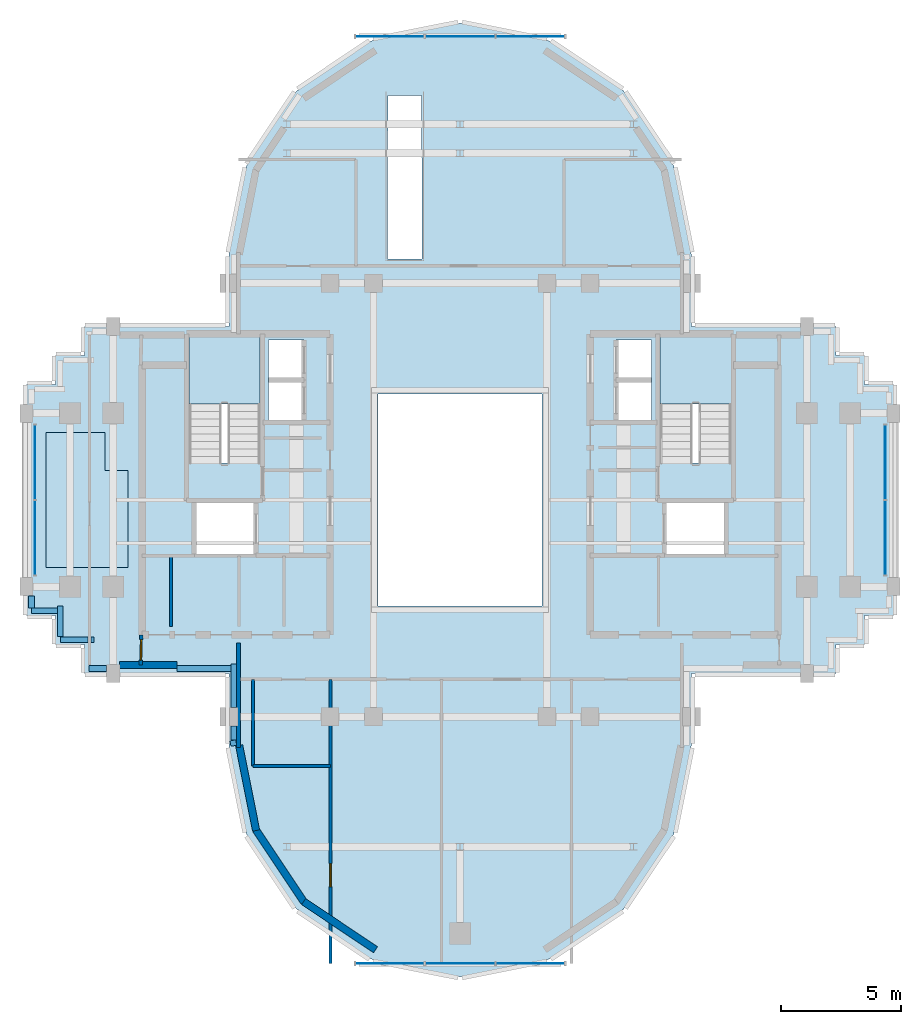
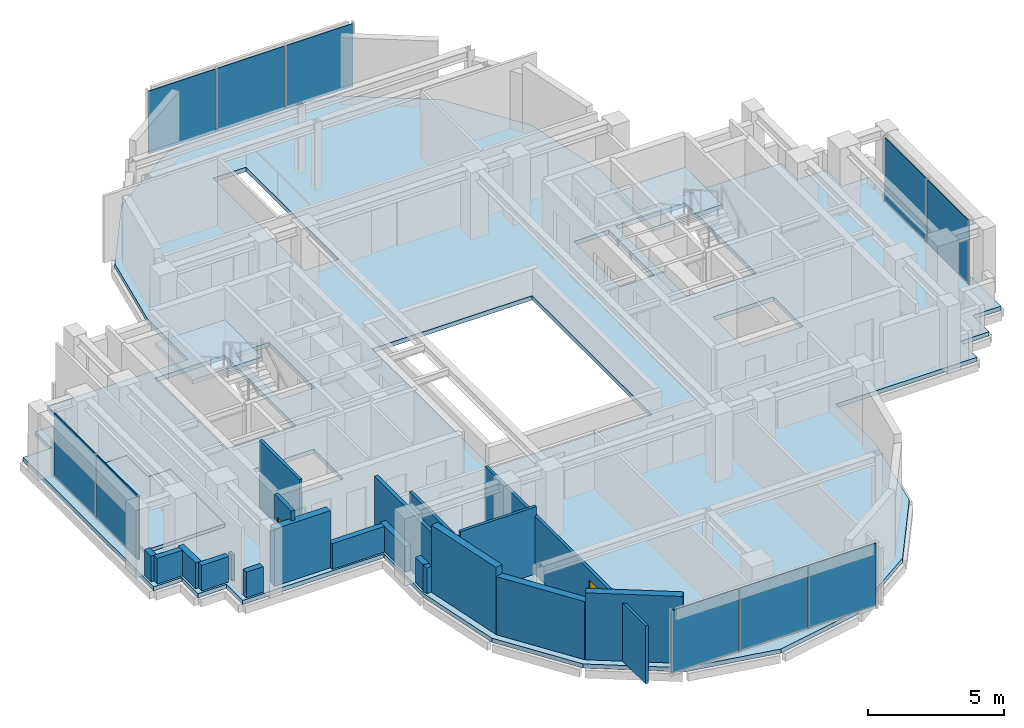
# One storey, part 7 of 12: 20 walls, 10 plates, 4 slabs, 2 doors, 2 openings, 6 elements without a shape of their own.
"""IFC4 building model written with IfcOpenShell, lengths in metres."""

from ifc_helpers import new_model, si_unit, direction, frame, frame_2d, origin, origin_2d, place, context, subcontext, project, spatial, polyline, rectangle, outline, extrude, source, transform, mapped, material, layer, layer_set, type_object, element, fill, aggregate, save


model = new_model("IFC4")

# Units and contexts
model_context = context("Model", 3, precision=1e-05, world=origin(), true_north=direction((0.0, 1.0)))
body_context = subcontext(model_context, "Body", "Model", "MODEL_VIEW")
ifc_project = project(units=[si_unit("LENGTHUNIT", "METRE"), si_unit("AREAUNIT", "SQUARE_METRE"), si_unit("VOLUMEUNIT", "CUBIC_METRE"), si_unit("PLANEANGLEUNIT", "RADIAN"), si_unit("MASSUNIT", "GRAM", prefix="KILO")], contexts=[model_context])

# Site, building, storey
site_placement = place(None, origin())
site = spatial("IfcSite", under=ifc_project, at=site_placement, CompositionType="ELEMENT")
building_placement = place(site_placement, origin())
building = spatial("IfcBuilding", under=site, at=building_placement, Name="Keilestroom Media Tower", CompositionType="ELEMENT")
storey_placement = place(building_placement, frame((0.0, 0.0, 223.60009765625)))
storey = spatial("IfcBuildingStorey", under=building, at=storey_placement, Name="L61", CompositionType="ELEMENT", Elevation=223.60009765625)

# Slabs
ifc_material_1 = material(Name="Concrete C50/60", Category="concrete")
ifc_layer_1 = layer(ifc_material_1, 0.18994140625)
ifc_layer_set_1 = layer_set([ifc_layer_1], Name="Concrete C50/60")
slab_type_1 = type_object("IfcSlabType", Name="Composite-Floor-Slab-190", PredefinedType="FLOOR", material=ifc_layer_set_1)
slab_1_placement = place(storey_placement, frame((0.0, 0.0, -0.190185546875)))
element("IfcSlab", 1, at=slab_1_placement, inside=storey, type_object=slab_type_1, Name="L61 Structural Composite Floor Slab", PredefinedType="FLOOR", context=body_context, shape_type="SweptSolid", body=[
    extrude(outline(polyline([(18.0, -4.800048828125), (18.0, 4.800048828125), (16.800048828125, 4.800048828125), (16.800048828125, 6.0), (15.60009765625, 6.0), (15.60009765625, 7.199951171875), (9.60009765625, 7.199951171875), (9.60009765625, 9.60009765625), (9.60009765625, 10.199951171875), (8.869140625, 13.873779296875), (6.7880859375, 16.98828125), (3.673828125, 19.069091796875), (0.0, 19.800048828125), (-3.673828125, 19.069091796875), (-6.7880859375, 16.98828125), (-8.869140625, 13.873779296875), (-9.60009765625, 10.199951171875), (-9.60009765625, 9.60009765625), (-9.60009765625, 7.199951171875), (-15.60009765625, 7.199951171875), (-15.60009765625, 6.0), (-16.800048828125, 6.0), (-16.800048828125, 4.800048828125), (-18.0, 4.800048828125), (-18.0, -4.800048828125), (-16.800048828125, -4.800048828125), (-16.800048828125, -6.0), (-15.60009765625, -6.0), (-15.60009765625, -7.199951171875), (-9.60009765625, -7.199951171875), (-9.60009765625, -9.60009765625), (-9.60009765625, -10.199951171875), (-8.869140625, -13.873779296875), (-6.7880859375, -16.98828125), (-3.673828125, -19.069091796875), (0.0, -19.800048828125), (3.673828125, -19.069091796875), (6.7880859375, -16.98828125), (8.869140625, -13.873779296875), (9.60009765625, -10.199951171875), (9.60009765625, -9.60009765625), (9.60009765625, -7.199951171875), (15.60009765625, -7.199951171875), (15.60009765625, -6.0), (16.800048828125, -6.0), (16.800048828125, -4.800048828125), (18.0, -4.800048828125)]), holes=[polyline([(-8.300048828125, 6.760009765625), (-8.300048828125, 1.544921875), (-11.260009765625, 1.544921875), (-11.260009765625, 6.760009765625), (-8.300048828125, 6.760009765625)]), polyline([(-8.47998046875, -0.10009765625), (-8.47998046875, -2.280029296875), (-11.050048828125, -2.280029296875), (-11.050048828125, -0.10009765625), (-8.47998046875, -0.10009765625)]), polyline([(-6.47998046875, 6.64990234375), (-6.47998046875, 3.300048828125), (-7.949951171875, 3.300048828125), (-7.949951171875, 6.64990234375), (-6.47998046875, 6.64990234375)]), polyline([(3.39990234375, 4.39990234375), (3.39990234375, -4.39990234375), (-3.39990234375, -4.39990234375), (-3.39990234375, 4.39990234375), (3.39990234375, 4.39990234375)]), polyline([(-1.580078125, 10.0), (-3.02001953125, 10.0), (-3.0, 16.804931640625), (-1.60009765625, 16.804931640625), (-1.580078125, 10.0)]), polyline([(7.949951171875, 6.64990234375), (7.949951171875, 3.300048828125), (6.47998046875, 3.300048828125), (6.47998046875, 6.64990234375), (7.949951171875, 6.64990234375)]), polyline([(11.260009765625, 6.760009765625), (11.260009765625, 1.544921875), (8.300048828125, 1.544921875), (8.300048828125, 6.760009765625), (11.260009765625, 6.760009765625)]), polyline([(11.050048828125, -0.10009765625), (11.050048828125, -2.280029296875), (8.47998046875, -2.280029296875), (8.47998046875, -0.10009765625), (11.050048828125, -0.10009765625)])]), origin(), (0.0, 0.0, 1.0), 0.190185546875),
])
ifc_material_2 = material(Name="Concrete C45/55", Category="concrete")
ifc_layer_2 = layer(ifc_material_2, 0.14990234375)
ifc_layer_set_2 = layer_set([ifc_layer_2], Name="Concrete C45/55")
slab_type_2 = type_object("IfcSlabType", Name="Floating-Studio-Floor-Slab-150", PredefinedType="FLOOR", material=ifc_layer_set_2)
slab_2_placement = place(storey_placement, origin())
element("IfcSlab", 2, at=slab_2_placement, inside=storey, type_object=slab_type_2, Name="L61 Acoustic Floating Studio Slab ST-ED2-Z4", PredefinedType="FLOOR", context=body_context, shape_type="SweptSolid", body=[
    extrude(outline(polyline([(-17.199951171875, -2.800048828125), (-13.800048828125, -2.800048828125), (-13.800048828125, 1.23193359375), (-14.751953125, 1.23193359375), (-14.751953125, 2.800048828125), (-17.199951171875, 2.800048828125), (-17.199951171875, -2.800048828125)])), origin(), (0.0, 0.0, 1.0), 0.14990234375),
])

# Stair, slab
stair_type = type_object("IfcStairType", Name="Enclosed-Dog-Leg-Stair-ST-CORE", PredefinedType="HALF_TURN_STAIR", material=ifc_material_2)
stair_1_placement = place(storey_placement, origin())
stair_1 = element("IfcStair", 3, at=stair_1_placement, inside=storey, type_object=stair_type, Name="L61 West Core Escape Stair ST-1", PredefinedType="HALF_TURN_STAIR")
ifc_layer_3 = layer(ifc_material_2, 0.199951171875)
ifc_layer_set_3 = layer_set([ifc_layer_3], Name="Concrete C45/55")
slab_type_3 = type_object("IfcSlabType", Name="Stair-Intermediate-And-Top-Landing-Slab-200", PredefinedType="LANDING", material=ifc_layer_set_3)
slab_3_placement = place(storey_placement, frame((0.0, 0.0, 1.39990234375)))
slab_3 = element("IfcSlab", 4, at=slab_3_placement, type_object=slab_type_3, Name="ST-1 landing 1", PredefinedType="LANDING", context=body_context, shape_type="SweptSolid", body=[
    extrude(outline(polyline([(-8.300048828125, 3.99609375), (-8.300048828125, 6.760009765625), (-11.260009765625, 6.760009765625), (-11.260009765625, 3.99609375), (-8.300048828125, 3.99609375)])), origin(), (0.0, 0.0, 1.0), 0.199951171875),
])
aggregate(stair_1, [slab_3])

stair_2_placement = place(storey_placement, origin())
stair_2 = element("IfcStair", 5, at=stair_2_placement, inside=storey, type_object=stair_type, Name="L61 East Core Escape Stair ST-2", PredefinedType="HALF_TURN_STAIR")
slab_4_placement = place(storey_placement, frame((0.0, 0.0, 1.39990234375)))
slab_4 = element("IfcSlab", 6, at=slab_4_placement, type_object=slab_type_3, Name="ST-2 landing 1", PredefinedType="LANDING", context=body_context, shape_type="SweptSolid", body=[
    extrude(outline(polyline([(11.260009765625, 3.99609375), (11.260009765625, 6.760009765625), (8.300048828125, 6.760009765625), (8.300048828125, 3.99609375), (11.260009765625, 3.99609375)])), origin(), (0.0, 0.0, 1.0), 0.199951171875),
])
aggregate(stair_2, [slab_4])

# Curtain wall, plates
ifc_material_3 = material(Name="Anodised Aluminium Alloy", Category="aluminium")
curtain_wall_type_1 = type_object("IfcCurtainWallType", Name="Unitised-Curtain-Wall-CW-6", PredefinedType="NOTDEFINED", material=ifc_material_3)
curtain_wall_1_placement = place(storey_placement, origin())
curtain_wall_1 = element("IfcCurtainWall", 7, at=curtain_wall_1_placement, inside=storey, type_object=curtain_wall_type_1, Name="L61 Curtain Wall CW-6 CW-L61-LN-1", PredefinedType="NOTDEFINED")
ifc_material_4 = material(Name="Curved-Facet Triple Glazed Unit", Category="glass")
ifc_layer_4 = layer(ifc_material_4, 0.033935546875)
ifc_layer_set_4 = layer_set([ifc_layer_4], Name="Curved-Facet Triple Glazed Unit")
plate_type_1 = type_object("IfcPlateType", Name="Insulated-Curtain-Wall-Glazing-Panel-CW-6", PredefinedType="CURTAIN_PANEL", material=ifc_layer_set_4)
shared_shape_1 = source(origin(), body_context, "Body", "SweptSolid", [
    extrude(rectangle(XDim=2.84375, YDim=0.033935546875, at=origin_2d()), origin(), (0.0, 0.0, 1.0), 2.833984375),
])
plate_1_placement = place(storey_placement, frame((-2.9169921875, 19.25, 0.072998046875), z_axis=(0.0, 0.0, 1.0), x_axis=(1.0, 0.0, 0.0)))
plate_1 = element("IfcPlate", 8, at=plate_1_placement, type_object=plate_type_1, Name="CW-6 Unitised Glazing 00", PredefinedType="CURTAIN_PANEL", context=body_context, shape_type="MappedRepresentation", body=[
    mapped(shared_shape_1, transform((0.0, 0.0, 0.0), x_axis=(1.0, 0.0, 0.0), y_axis=(0.0, 1.0, 0.0), z_axis=(0.0, 0.0, 1.0), scale=1.0)),
])
plate_2_placement = place(storey_placement, frame((2.9169921875, 19.25, 0.072998046875), z_axis=(0.0, 0.0, 1.0), x_axis=(1.0, 0.0, 0.0)))
plate_2 = element("IfcPlate", 9, at=plate_2_placement, type_object=plate_type_1, Name="CW-6 Unitised Glazing 02", PredefinedType="CURTAIN_PANEL", context=body_context, shape_type="MappedRepresentation", body=[
    mapped(shared_shape_1, transform((0.0, 0.0, 0.0), x_axis=(1.0, 0.0, 0.0), y_axis=(0.0, 1.0, 0.0), z_axis=(0.0, 0.0, 1.0), scale=1.0)),
])

curtain_wall_2_placement = place(storey_placement, origin())
curtain_wall_2 = element("IfcCurtainWall", 10, at=curtain_wall_2_placement, inside=storey, type_object=curtain_wall_type_1, Name="L61 Curtain Wall CW-6 CW-L61-LS-1", PredefinedType="NOTDEFINED")
plate_3_placement = place(storey_placement, frame((-2.9169921875, -19.25, 0.072998046875), z_axis=(0.0, 0.0, 1.0), x_axis=(1.0, 0.0, 0.0)))
plate_3 = element("IfcPlate", 11, at=plate_3_placement, type_object=plate_type_1, Name="CW-6 Unitised Glazing 00", PredefinedType="CURTAIN_PANEL", context=body_context, shape_type="MappedRepresentation", body=[
    mapped(shared_shape_1, transform((0.0, 0.0, 0.0), x_axis=(1.0, 0.0, 0.0), y_axis=(0.0, 1.0, 0.0), z_axis=(0.0, 0.0, 1.0), scale=1.0)),
])
plate_4_placement = place(storey_placement, frame((2.9169921875, -19.25, 0.072998046875), z_axis=(0.0, 0.0, 1.0), x_axis=(1.0, 0.0, 0.0)))
plate_4 = element("IfcPlate", 12, at=plate_4_placement, type_object=plate_type_1, Name="CW-6 Unitised Glazing 02", PredefinedType="CURTAIN_PANEL", context=body_context, shape_type="MappedRepresentation", body=[
    mapped(shared_shape_1, transform((0.0, 0.0, 0.0), x_axis=(1.0, 0.0, 0.0), y_axis=(0.0, 1.0, 0.0), z_axis=(0.0, 0.0, 1.0), scale=1.0)),
])

# Plate
shared_shape_2 = source(origin(), body_context, "Body", "SweptSolid", [
    extrude(rectangle(XDim=2.876220703125, YDim=0.033935546875, at=origin_2d()), origin(), (0.0, 0.0, 1.0), 2.833984375),
])
plate_5_placement = place(storey_placement, frame((0.0, 19.25, 0.072998046875), z_axis=(0.0, 0.0, 1.0), x_axis=(1.0, 0.0, 0.0)))
plate_5 = element("IfcPlate", 13, at=plate_5_placement, type_object=plate_type_1, Name="CW-6 Unitised Glazing 01", PredefinedType="CURTAIN_PANEL", context=body_context, shape_type="MappedRepresentation", body=[
    mapped(shared_shape_2, transform((0.0, 0.0, 0.0), x_axis=(1.0, 0.0, 0.0), y_axis=(0.0, 1.0, 0.0), z_axis=(0.0, 0.0, 1.0), scale=1.0)),
])

aggregate(curtain_wall_1, [plate_1, plate_5, plate_2])

plate_6_placement = place(storey_placement, frame((0.0, -19.25, 0.072998046875), z_axis=(0.0, 0.0, 1.0), x_axis=(1.0, 0.0, 0.0)))
plate_6 = element("IfcPlate", 14, at=plate_6_placement, type_object=plate_type_1, Name="CW-6 Unitised Glazing 01", PredefinedType="CURTAIN_PANEL", context=body_context, shape_type="MappedRepresentation", body=[
    mapped(shared_shape_2, transform((0.0, 0.0, 0.0), x_axis=(1.0, 0.0, 0.0), y_axis=(0.0, 1.0, 0.0), z_axis=(0.0, 0.0, 1.0), scale=1.0)),
])

aggregate(curtain_wall_2, [plate_3, plate_6, plate_4])

# Curtain wall, plates
curtain_wall_type_2 = type_object("IfcCurtainWallType", Name="Unitised-Curtain-Wall-CW-4", PredefinedType="NOTDEFINED", material=ifc_material_3)
curtain_wall_3_placement = place(storey_placement, origin())
curtain_wall_3 = element("IfcCurtainWall", 15, at=curtain_wall_3_placement, inside=storey, type_object=curtain_wall_type_2, Name="L61 Curtain Wall CW-4 CW-L61-W-1", PredefinedType="NOTDEFINED")
ifc_material_5 = material(Name="Triple Glazed Solar-Control Unit", Category="glass")
ifc_layer_5 = layer(ifc_material_5, 0.035888671875)
ifc_layer_set_5 = layer_set([ifc_layer_5], Name="Triple Glazed Solar-Control Unit")
plate_type_2 = type_object("IfcPlateType", Name="Insulated-Curtain-Wall-Glazing-Panel-CW-4", PredefinedType="CURTAIN_PANEL", material=ifc_layer_set_5)
shared_shape_3 = source(origin(), body_context, "Body", "SweptSolid", [
    extrude(rectangle(XDim=3.0830078125, YDim=0.035888671875, at=origin_2d()), origin(), (0.0, 0.0, 1.0), 2.85400390625),
])
plate_7_placement = place(storey_placement, frame((-17.64990234375, -1.5673828125, 0.06298828125), z_axis=(0.0, 0.0, 1.0), x_axis=(0.0, 1.0, 0.0)))
plate_7 = element("IfcPlate", 16, at=plate_7_placement, type_object=plate_type_2, Name="CW-4 Unitised Glazing 00", PredefinedType="CURTAIN_PANEL", context=body_context, shape_type="MappedRepresentation", body=[
    mapped(shared_shape_3, transform((0.0, 0.0, 0.0), x_axis=(1.0, 0.0, 0.0), y_axis=(0.0, 1.0, 0.0), z_axis=(0.0, 0.0, 1.0), scale=1.0)),
])
plate_8_placement = place(storey_placement, frame((-17.64990234375, 1.5673828125, 0.06298828125), z_axis=(0.0, 0.0, 1.0), x_axis=(0.0, 1.0, 0.0)))
plate_8 = element("IfcPlate", 17, at=plate_8_placement, type_object=plate_type_2, Name="CW-4 Unitised Glazing 01", PredefinedType="CURTAIN_PANEL", context=body_context, shape_type="MappedRepresentation", body=[
    mapped(shared_shape_3, transform((0.0, 0.0, 0.0), x_axis=(1.0, 0.0, 0.0), y_axis=(0.0, 1.0, 0.0), z_axis=(0.0, 0.0, 1.0), scale=1.0)),
])
aggregate(curtain_wall_3, [plate_7, plate_8])

curtain_wall_4_placement = place(storey_placement, origin())
curtain_wall_4 = element("IfcCurtainWall", 18, at=curtain_wall_4_placement, inside=storey, type_object=curtain_wall_type_2, Name="L61 Curtain Wall CW-4 CW-L61-E-1", PredefinedType="NOTDEFINED")
plate_9_placement = place(storey_placement, frame((17.64990234375, -1.5673828125, 0.06298828125), z_axis=(0.0, 0.0, 1.0), x_axis=(0.0, 1.0, 0.0)))
plate_9 = element("IfcPlate", 19, at=plate_9_placement, type_object=plate_type_2, Name="CW-4 Unitised Glazing 00", PredefinedType="CURTAIN_PANEL", context=body_context, shape_type="MappedRepresentation", body=[
    mapped(shared_shape_3, transform((0.0, 0.0, 0.0), x_axis=(1.0, 0.0, 0.0), y_axis=(0.0, 1.0, 0.0), z_axis=(0.0, 0.0, 1.0), scale=1.0)),
])
plate_10_placement = place(storey_placement, frame((17.64990234375, 1.5673828125, 0.06298828125), z_axis=(0.0, 0.0, 1.0), x_axis=(0.0, 1.0, 0.0)))
plate_10 = element("IfcPlate", 20, at=plate_10_placement, type_object=plate_type_2, Name="CW-4 Unitised Glazing 01", PredefinedType="CURTAIN_PANEL", context=body_context, shape_type="MappedRepresentation", body=[
    mapped(shared_shape_3, transform((0.0, 0.0, 0.0), x_axis=(1.0, 0.0, 0.0), y_axis=(0.0, 1.0, 0.0), z_axis=(0.0, 0.0, 1.0), scale=1.0)),
])
aggregate(curtain_wall_4, [plate_9, plate_10])

# Walls
ifc_material_6 = material(Name="Precast concrete C40/50", Category="concrete")
ifc_layer_6 = layer(ifc_material_6, 0.300048828125)
ifc_layer_set_6 = layer_set([ifc_layer_6], Name="Precast concrete C40/50")
wall_type_1 = type_object("IfcWallType", Name="Exterior-Masonry-Spandrel-Wall-300", PredefinedType="SOLIDWALL", material=ifc_layer_set_6)
wall_1_placement = place(storey_placement, frame((-14.133056640625, -6.85009765625, 0.0), z_axis=(0.0, 0.0, 1.0), x_axis=(1.0, 0.0, 0.0)))
element("IfcWall", 21, at=wall_1_placement, inside=storey, type_object=wall_type_1, Name="L61 Flank Masonry Wall EWL-L61-SW-1", PredefinedType="SOLIDWALL", context=body_context, shape_type="SweptSolid", body=[
    extrude(rectangle(XDim=2.383056640625, YDim=0.300048828125, at=frame_2d((1.19140625, 0.0))), origin(), (0.0, 0.0, 1.0), 2.56982421875),
])
wall_2_placement = place(storey_placement, frame((-9.1748046875, -10.185302734375, 0.0), z_axis=(0.0, 0.0, 1.0), x_axis=(0.195114232679, -0.980780523974, 0.0)))
element("IfcWall", 22, at=wall_2_placement, inside=storey, type_object=wall_type_1, Name="L61 Lobe Facet Precast Frame Wall 07", PredefinedType="SOLIDWALL", context=body_context, shape_type="SweptSolid", body=[
    extrude(rectangle(XDim=3.608642578125, YDim=0.300048828125, at=frame_2d((1.80419921875, 0.0))), origin(), (0.0, 0.0, 1.0), 3.010009765625),
])
wall_3_placement = place(storey_placement, frame((-8.48193359375, -13.697509765625, 0.0), z_axis=(0.0, 0.0, 1.0), x_axis=(0.555574187116, -0.831466970246, 0.0)))
element("IfcWall", 23, at=wall_3_placement, inside=storey, type_object=wall_type_1, Name="L61 Lobe Facet Precast Frame Wall 08", PredefinedType="SOLIDWALL", context=body_context, shape_type="SweptSolid", body=[
    extrude(rectangle(XDim=3.608642578125, YDim=0.300048828125, at=frame_2d((1.80419921875, 0.0))), origin(), (0.0, 0.0, 1.0), 2.60986328125),
])
wall_4_placement = place(storey_placement, frame((-6.497802734375, -16.677001953125, 0.0), z_axis=(0.0, 0.0, 1.0), x_axis=(0.831443568068, -0.555609208993, 0.0)))
element("IfcWall", 24, at=wall_4_placement, inside=storey, type_object=wall_type_1, Name="L61 Lobe Facet Precast Frame Wall 09", PredefinedType="SOLIDWALL", context=body_context, shape_type="SweptSolid", body=[
    extrude(rectangle(XDim=3.593505859375, YDim=0.300048828125, at=frame_2d((1.796875, 0.0))), origin(), (0.0, 0.0, 1.0), 3.010009765625),
])
ifc_material_7 = material(Name="Gypsum Plasterboard & Steel Stud", Category="steel")
ifc_layer_7 = layer(ifc_material_7, 0.1201171875)
ifc_layer_set_7 = layer_set([ifc_layer_7], Name="Gypsum Plasterboard & Steel Stud")
wall_type_2 = type_object("IfcWallType", Name="Interior-Partition-Wall-120", PredefinedType="PARTITIONING", material=ifc_layer_set_7)
wall_5_placement = place(storey_placement, frame((-12.010009765625, -5.260009765625, 0.0), z_axis=(0.0, 0.0, 1.0), x_axis=(0.0, 1.0, 0.0)))
element("IfcWall", 25, at=wall_5_placement, inside=storey, type_object=wall_type_2, Name="L61 Interior Wall WP-L61-RECLW-M", PredefinedType="PARTITIONING", context=body_context, shape_type="SweptSolid", body=[
    extrude(rectangle(XDim=2.93994140625, YDim=0.1201171875, at=frame_2d((1.469970703125, 0.0))), origin(), (0.0, 0.0, 1.0), 3.010009765625),
])

# Wall, opening, door
wall_6_placement = place(storey_placement, frame((-5.3798828125, -19.25, 0.0), z_axis=(0.0, 0.0, 1.0), x_axis=(0.0, 1.0, 0.0)))
wall_6 = element("IfcWall", 26, at=wall_6_placement, inside=storey, type_object=wall_type_2, Name="L61 Interior Wall WP-L61-SL-QV1", PredefinedType="PARTITIONING", context=body_context, shape_type="SweptSolid", body=[
    extrude(rectangle(XDim=11.800048828125, YDim=0.1201171875, at=frame_2d((5.89990234375, 0.0))), origin(), (0.0, 0.0, 1.0), 2.60986328125),
])
opening_1_placement = place(wall_6_placement, frame((3.199951171875, 0.0, 0.0)))
opening_1 = element("IfcOpeningElement", 27, at=opening_1_placement, cuts=wall_6, Name="Opening DI-03", PredefinedType="OPENING", context=body_context, shape_type="SweptSolid", body=[
    extrude(rectangle(XDim=0.949951171875, YDim=2.14990234375, at=frame_2d((0.47509765625, 1.074951171875))), frame((0.0, 0.070068359375, 0.0), z_axis=(0.0, -1.0, 0.0), x_axis=(1.0, 0.0, 0.0)), (0.0, 0.0, 1.0), 0.14013671875),
])
ifc_material_8 = material(Name="Lacquered European Oak Leaf", Category="wood")
door_type_1 = type_object("IfcDoorType", Name="Interior-Room-And-Suite-Door-DI-03", OperationType="NOTDEFINED", PredefinedType="DOOR", material=ifc_material_8)
shared_shape_4 = source(origin(), body_context, "Body", "SweptSolid", [
    extrude(rectangle(XDim=0.949951171875, YDim=2.14990234375, at=frame_2d((0.47509765625, 1.074951171875))), frame((0.0, 0.02490234375, 0.0), z_axis=(0.0, -1.0, 0.0), x_axis=(1.0, 0.0, 0.0)), (0.0, 0.0, 1.0), 0.050048828125),
])
door_1_placement = place(opening_1_placement, origin())
door_1 = element("IfcDoor", 28, at=door_1_placement, inside=storey, type_object=door_type_1, Name="L61 Interior Door DI-L61-DSL-Q1", OperationType="SINGLE_SWING_RIGHT", OverallHeight=2.14990234375, OverallWidth=0.949951171875, PredefinedType="DOOR", context=body_context, shape_type="MappedRepresentation", body=[
    mapped(shared_shape_4, transform((0.0, 0.0, 0.0), x_axis=(1.0, 0.0, 0.0), y_axis=(0.0, 1.0, 0.0), z_axis=(0.0, 0.0, 1.0), scale=1.0)),
])
fill(opening_1, door_1)

# Walls
wall_7_placement = place(storey_placement, frame((-8.60009765625, -11.050048828125, 0.0), z_axis=(0.0, 0.0, 1.0), x_axis=(1.0, 0.0, 0.0)))
element("IfcWall", 29, at=wall_7_placement, inside=storey, type_object=wall_type_2, Name="L61 Interior Wall WP-L61-SL-WC3-S", PredefinedType="PARTITIONING", context=body_context, shape_type="SweptSolid", body=[
    extrude(rectangle(XDim=3.22021484375, YDim=0.1201171875, at=frame_2d((1.610107421875, 0.0))), origin(), (0.0, 0.0, 1.0), 3.010009765625),
])
wall_8_placement = place(storey_placement, frame((-8.60009765625, -11.050048828125, 0.0), z_axis=(0.0, 0.0, 1.0), x_axis=(0.0, 1.0, 0.0)))
element("IfcWall", 30, at=wall_8_placement, inside=storey, type_object=wall_type_2, Name="L61 Interior Wall WP-L61-SL-WC3-W", PredefinedType="PARTITIONING", context=body_context, shape_type="SweptSolid", body=[
    extrude(rectangle(XDim=3.60009765625, YDim=0.1201171875, at=frame_2d((1.800048828125, 0.0))), origin(), (0.0, 0.0, 1.0), 2.60986328125),
])
ifc_layer_8 = layer(ifc_material_7, 0.14990234375)
ifc_layer_set_8 = layer_set([ifc_layer_8], Name="Gypsum Plasterboard & Steel Stud")
wall_type_3 = type_object("IfcWallType", Name="Interior-Partition-Wall-150", PredefinedType="PARTITIONING", material=ifc_layer_set_8)
wall_9_placement = place(storey_placement, frame((-9.199951171875, -10.280029296875, 0.0), z_axis=(0.0, 0.0, 1.0), x_axis=(0.0, 1.0, 0.0)))
element("IfcWall", 31, at=wall_9_placement, inside=storey, type_object=wall_type_3, Name="L61 Interior Wall WP-L61-SL-CHKW", PredefinedType="PARTITIONING", context=body_context, shape_type="SweptSolid", body=[
    extrude(rectangle(XDim=4.340087890625, YDim=0.14990234375, at=frame_2d((2.169921875, 0.0))), origin(), (0.0, 0.0, 1.0), 2.60986328125),
])

# Wall, opening, door
wall_10_placement = place(storey_placement, frame((-13.260009765625, -6.85009765625, 0.0), z_axis=(0.0, 0.0, 1.0), x_axis=(0.016013571389, 0.999871774545, 0.0)))
wall_10 = element("IfcWall", 32, at=wall_10_placement, inside=storey, type_object=wall_type_3, Name="L61 Interior Wall WP-L61-WA-ENTS", PredefinedType="PARTITIONING", context=body_context, shape_type="SweptSolid", body=[
    extrude(rectangle(XDim=1.250244140625, YDim=0.14990234375, at=frame_2d((0.625, 0.0))), origin(), (0.0, 0.0, 1.0), 3.010009765625),
])
opening_2_placement = place(wall_10_placement, frame((0.199951171875, 0.0, 0.0)))
opening_2 = element("IfcOpeningElement", 33, at=opening_2_placement, cuts=wall_10, Name="Opening DI-05", PredefinedType="OPENING", context=body_context, shape_type="SweptSolid", body=[
    extrude(rectangle(XDim=0.85009765625, YDim=2.10009765625, at=frame_2d((0.425048828125, 1.050048828125))), frame((0.0, 0.0849609375, 0.0), z_axis=(0.0, -1.0, 0.0), x_axis=(1.0, 0.0, 0.0)), (0.0, 0.0, 1.0), 0.169921875),
])
ifc_material_9 = material(Name="Moisture-Resistant Oak Leaf", Category="wood")
door_type_2 = type_object("IfcDoorType", Name="Interior-En-Suite-And-Cupboard-Door-DI-05", OperationType="NOTDEFINED", PredefinedType="DOOR", material=ifc_material_9)
shared_shape_5 = source(origin(), body_context, "Body", "SweptSolid", [
    extrude(rectangle(XDim=0.85009765625, YDim=2.10009765625, at=frame_2d((0.425048828125, 1.050048828125))), frame((0.0, 0.02490234375, 0.0), z_axis=(0.0, -1.0, 0.0), x_axis=(1.0, 0.0, 0.0)), (0.0, 0.0, 1.0), 0.050048828125),
])
door_2_placement = place(opening_2_placement, origin())
door_2 = element("IfcDoor", 34, at=door_2_placement, inside=storey, type_object=door_type_2, Name="L61 Interior Door DI-L61-DWA-E", OperationType="SINGLE_SWING_RIGHT", OverallHeight=2.10009765625, OverallWidth=0.85009765625, PredefinedType="DOOR", context=body_context, shape_type="MappedRepresentation", body=[
    mapped(shared_shape_5, transform((0.0, 0.0, 0.0), x_axis=(1.0, 0.0, 0.0), y_axis=(0.0, 1.0, 0.0), z_axis=(0.0, 0.0, 1.0), scale=1.0)),
])
fill(opening_2, door_2)

# Walls
ifc_layer_9 = layer(ifc_material_6, 0.239990234375)
ifc_layer_set_9 = layer_set([ifc_layer_9], Name="Precast concrete C40/50")
wall_type_4 = type_object("IfcWallType", Name="Roof-And-Terrace-Parapet-Wall-240", PredefinedType="PARAPET", material=ifc_layer_set_9)
wall_11_placement = place(storey_placement, frame((-9.395263671875, -10.2041015625, 0.0), z_axis=(0.0, 0.0, 1.0), x_axis=(-0.194859894132, 0.980831087221, 0.0)))
element("IfcWall", 35, at=wall_11_placement, inside=storey, type_object=wall_type_4, Name="L61 Perimeter Edge Parapet Wall 09", PredefinedType="PARAPET", context=body_context, shape_type="SweptSolid", body=[
    extrude(rectangle(XDim=0.224365234375, YDim=0.239990234375, at=frame_2d((0.1123046875, 0.0))), origin(), (0.0, 0.0, 1.0), 1.14990234375),
])
wall_12_placement = place(storey_placement, frame((-9.39990234375, -9.957763671875, 0.0), z_axis=(0.0, 0.0, 1.0), x_axis=(0.0, 1.0, 0.0)))
element("IfcWall", 36, at=wall_12_placement, inside=storey, type_object=wall_type_4, Name="L61 Perimeter Edge Parapet Wall 10", PredefinedType="PARAPET", context=body_context, shape_type="SweptSolid", body=[
    extrude(rectangle(XDim=0.579833984375, YDim=0.239990234375, at=frame_2d((0.2900390625, 0.0))), origin(), (0.0, 0.0, 1.0), 1.14990234375),
])
wall_13_placement = place(storey_placement, frame((-9.39990234375, -8.6220703125, 0.0), z_axis=(0.0, 0.0, 1.0), x_axis=(0.0, 1.0, 0.0)))
element("IfcWall", 37, at=wall_13_placement, inside=storey, type_object=wall_type_4, Name="L61 Perimeter Edge Parapet Wall 11", PredefinedType="PARAPET", context=body_context, shape_type="SweptSolid", body=[
    extrude(rectangle(XDim=1.822021484375, YDim=0.239990234375, at=frame_2d((0.9111328125, 0.0))), origin(), (0.0, 0.0, 1.0), 1.14990234375),
])
wall_14_placement = place(storey_placement, frame((-9.52294921875, -7.0, 0.0), z_axis=(0.0, 0.0, 1.0), x_axis=(-1.0, 0.0, 0.0)))
element("IfcWall", 38, at=wall_14_placement, inside=storey, type_object=wall_type_4, Name="L61 Perimeter Edge Parapet Wall 12", PredefinedType="PARAPET", context=body_context, shape_type="SweptSolid", body=[
    extrude(rectangle(XDim=2.22412109375, YDim=0.239990234375, at=frame_2d((1.112060546875, 0.0))), origin(), (0.0, 0.0, 1.0), 1.14990234375),
])
wall_15_placement = place(storey_placement, frame((-14.677978515625, -7.0, 0.0), z_axis=(0.0, 0.0, 1.0), x_axis=(-1.0, 0.0, 0.0)))
element("IfcWall", 39, at=wall_15_placement, inside=storey, type_object=wall_type_4, Name="L61 Perimeter Edge Parapet Wall 13", PredefinedType="PARAPET", context=body_context, shape_type="SweptSolid", body=[
    extrude(rectangle(XDim=0.721923828125, YDim=0.239990234375, at=frame_2d((0.36083984375, 0.0))), origin(), (0.0, 0.0, 1.0), 1.14990234375),
])
wall_16_placement = place(storey_placement, frame((-15.199951171875, -5.800048828125, 0.0), z_axis=(0.0, 0.0, 1.0), x_axis=(-1.0, 0.0, 0.0)))
element("IfcWall", 40, at=wall_16_placement, inside=storey, type_object=wall_type_4, Name="L61 Perimeter Edge Parapet Wall 14", PredefinedType="PARAPET", context=body_context, shape_type="SweptSolid", body=[
    extrude(rectangle(XDim=0.126953125, YDim=0.239990234375, at=frame_2d((0.0634765625, 0.0))), origin(), (0.0, 0.0, 1.0), 1.14990234375),
])
wall_17_placement = place(storey_placement, frame((-15.452880859375, -5.800048828125, 0.0), z_axis=(0.0, 0.0, 1.0), x_axis=(-1.0, 0.0, 0.0)))
element("IfcWall", 41, at=wall_17_placement, inside=storey, type_object=wall_type_4, Name="L61 Perimeter Edge Parapet Wall 15", PredefinedType="PARAPET", context=body_context, shape_type="SweptSolid", body=[
    extrude(rectangle(XDim=1.147216796875, YDim=0.239990234375, at=frame_2d((0.57373046875, 0.0))), origin(), (0.0, 0.0, 1.0), 1.14990234375),
])
wall_18_placement = place(storey_placement, frame((-16.60009765625, -5.677001953125, 0.0), z_axis=(0.0, 0.0, 1.0), x_axis=(0.0, 1.0, 0.0)))
element("IfcWall", 42, at=wall_18_placement, inside=storey, type_object=wall_type_4, Name="L61 Perimeter Edge Parapet Wall 16", PredefinedType="PARAPET", context=body_context, shape_type="SweptSolid", body=[
    extrude(rectangle(XDim=1.277099609375, YDim=0.239990234375, at=frame_2d((0.638671875, 0.0))), origin(), (0.0, 0.0, 1.0), 1.14990234375),
])
wall_19_placement = place(storey_placement, frame((-16.722900390625, -4.60009765625, 0.0), z_axis=(0.0, 0.0, 1.0), x_axis=(-1.0, 0.0, 0.0)))
element("IfcWall", 43, at=wall_19_placement, inside=storey, type_object=wall_type_4, Name="L61 Perimeter Edge Parapet Wall 17", PredefinedType="PARAPET", context=body_context, shape_type="SweptSolid", body=[
    extrude(rectangle(XDim=1.0771484375, YDim=0.239990234375, at=frame_2d((0.53857421875, 0.0))), origin(), (0.0, 0.0, 1.0), 1.14990234375),
])
wall_20_placement = place(storey_placement, frame((-17.800048828125, -4.47705078125, 0.0), z_axis=(0.0, 0.0, 1.0), x_axis=(0.0, 1.0, 0.0)))
element("IfcWall", 44, at=wall_20_placement, inside=storey, type_object=wall_type_4, Name="L61 Perimeter Edge Parapet Wall 18", PredefinedType="PARAPET", context=body_context, shape_type="SweptSolid", body=[
    extrude(rectangle(XDim=0.4990234375, YDim=0.239990234375, at=frame_2d((0.24951171875, 0.0))), origin(), (0.0, 0.0, 1.0), 1.14990234375),
])

save(model, "model.ifc")
